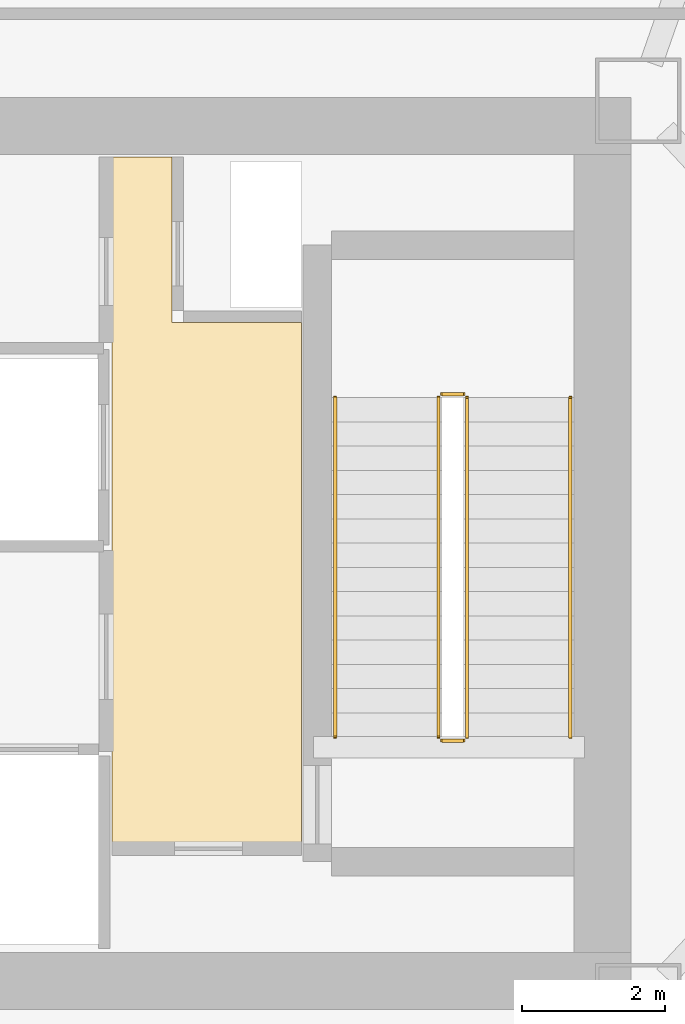
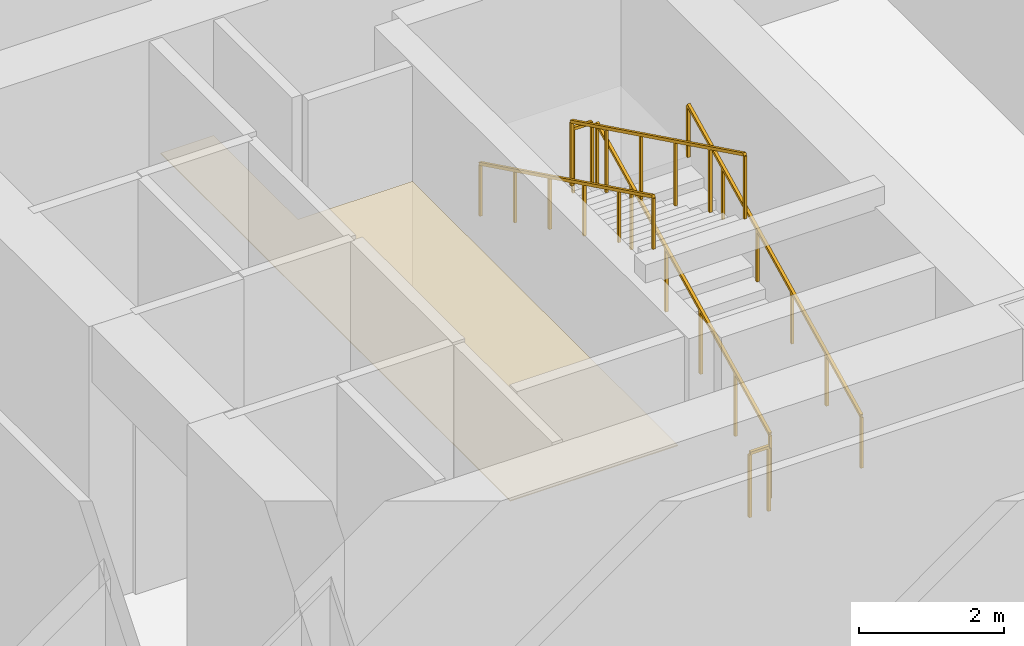
# One storey, part 20 of 20: 6 railings, 1 covering.
"""IFC4 building model written with IfcOpenShell, lengths in metres."""

from ifc_helpers import new_model, si_unit, direction, frame, origin, origin_2d, place, context, subcontext, project, spatial, polyline, rectangle, outline, extrude, material, layer, layer_set, type_object, element, save


model = new_model("IFC4")

# Units and contexts
model_context = context("Model", 3, precision=1e-05, world=origin(), true_north=direction((0.0, 1.0)))
body_context = subcontext(model_context, "Body", "Model", "MODEL_VIEW")
ifc_project = project(units=[si_unit("LENGTHUNIT", "METRE"), si_unit("AREAUNIT", "SQUARE_METRE"), si_unit("VOLUMEUNIT", "CUBIC_METRE"), si_unit("PLANEANGLEUNIT", "RADIAN"), si_unit("MASSUNIT", "GRAM", prefix="KILO")], contexts=[model_context])

# Site, building, storey
site_placement = place(None, origin())
site = spatial("IfcSite", under=ifc_project, at=site_placement, CompositionType="ELEMENT")
building_placement = place(site_placement, origin())
building = spatial("IfcBuilding", under=site, at=building_placement, Name="Tavrogorsk Clinical Tower", CompositionType="ELEMENT")
storey_placement = place(building_placement, frame((0.0, 0.0, 13.39990234375)))
storey = spatial("IfcBuildingStorey", under=building, at=storey_placement, Name="L02", CompositionType="ELEMENT", Elevation=13.39990234375)

# Covering
ifc_material_1 = material(Name="Antibacterial micro-perforated aluminium ceiling", Category="aluminium")
ifc_layer_1 = layer(ifc_material_1, 0.014892578125)
ifc_layer_set_1 = layer_set([ifc_layer_1], Name="Antibacterial micro-perforated aluminium ceiling")
covering_type = type_object("IfcCoveringType", Name="ClinicalCeiling_15", PredefinedType="CEILING", material=ifc_layer_set_1)
covering_placement = place(storey_placement, frame((0.0, 0.0, 2.75)))
element("IfcCovering", 1, at=covering_placement, inside=storey, type_object=covering_type, Name="Core East Firefighting Lift Lobby Acoustic Ceiling", PredefinedType="CEILING", context=body_context, shape_type="SweptSolid", body=[
    extrude(outline(polyline([(17.3798828125, -4.06005859375), (14.719970703125, -4.06005859375), (14.719970703125, 5.56005859375), (15.56005859375, 5.56005859375), (15.56005859375, 3.239990234375), (17.3798828125, 3.239990234375), (17.3798828125, -4.06005859375)])), origin(), (0.0, 0.0, 1.0), 0.01513671875),
])

# Railings
ifc_material_2 = material(Name="Galvanised steel S355 safety stairwell guard", Category="steel")
ifc_layer_2 = layer(ifc_material_2, 0.06005859375)
ifc_layer_set_2 = layer_set([ifc_layer_2], Name="Galvanised steel S355 safety stairwell guard")
railing_type_1 = type_object("IfcRailingType", Name="StairGuard_1150", PredefinedType="GUARDRAIL", material=ifc_layer_set_2)
railing_1_placement = place(storey_placement, frame((19.699951171875, -2.574951171875, 0.166748046875)))
element("IfcRailing", 2, at=railing_1_placement, inside=storey, type_object=railing_type_1, Name="L02 ST-E stair guard 1", PredefinedType="GUARDRAIL", context=body_context, shape_type="SweptSolid", body=[
    extrude(rectangle(XDim=0.048095703125, YDim=0.048095703125, at=origin_2d()), frame((0.0, 0.0, 1.076171875), z_axis=(0.0, 0.897927146867, 0.440144111535), x_axis=(-1.0, 0.0, 0.0)), (0.0, 0.0, 1.0), 5.301025390625),
    extrude(rectangle(XDim=0.0419921875, YDim=0.0419921875, at=origin_2d()), origin(), (0.0, 0.0, 1.0), 1.052001953125),
    extrude(rectangle(XDim=0.0419921875, YDim=0.0419921875, at=origin_2d()), frame((0.0, 0.951904296875, 0.466552734375)), (0.0, 0.0, 1.0), 1.052001953125),
    extrude(rectangle(XDim=0.0419921875, YDim=0.0419921875, at=origin_2d()), frame((0.0, 1.904052734375, 0.933349609375)), (0.0, 0.0, 1.0), 1.052001953125),
    extrude(rectangle(XDim=0.0419921875, YDim=0.0419921875, at=origin_2d()), frame((0.0, 2.85595703125, 1.39990234375)), (0.0, 0.0, 1.0), 1.052001953125),
    extrude(rectangle(XDim=0.0419921875, YDim=0.0419921875, at=origin_2d()), frame((0.0, 3.80810546875, 1.86669921875)), (0.0, 0.0, 1.0), 1.052001953125),
    extrude(rectangle(XDim=0.0419921875, YDim=0.0419921875, at=origin_2d()), frame((0.0, 4.760009765625, 2.333251953125)), (0.0, 0.0, 1.0), 1.052001953125),
])
railing_2_placement = place(storey_placement, frame((19.64990234375, 2.235107421875, 2.5)))
element("IfcRailing", 3, at=railing_2_placement, inside=storey, type_object=railing_type_1, Name="L02 ST-E stair guard 2", PredefinedType="GUARDRAIL", context=body_context, shape_type="SweptSolid", body=[
    extrude(rectangle(XDim=0.048095703125, YDim=0.048095703125, at=origin_2d()), frame((0.0, 0.0, 1.076171875), z_axis=(-1.0, 0.0, 0.0), x_axis=(0.0, -1.0, 0.0)), (0.0, 0.0, 1.0), 0.2998046875),
    extrude(rectangle(XDim=0.0419921875, YDim=0.0419921875, at=origin_2d()), origin(), (0.0, 0.0, 1.0), 1.052001953125),
    extrude(rectangle(XDim=0.0419921875, YDim=0.0419921875, at=origin_2d()), frame((-0.2998046875, 0.0, 0.0)), (0.0, 0.0, 1.0), 1.052001953125),
])
railing_3_placement = place(storey_placement, frame((19.300048828125, 2.18505859375, 2.666748046875)))
element("IfcRailing", 4, at=railing_3_placement, inside=storey, type_object=railing_type_1, Name="L02 ST-E stair guard 3", PredefinedType="GUARDRAIL", context=body_context, shape_type="SweptSolid", body=[
    extrude(rectangle(XDim=0.048095703125, YDim=0.048095703125, at=origin_2d()), frame((0.0, 0.0, 1.076171875), z_axis=(0.0, -0.897927146867, 0.440144111535), x_axis=(1.0, 0.0, 0.0)), (0.0, 0.0, 1.0), 5.301025390625),
    extrude(rectangle(XDim=0.0419921875, YDim=0.0419921875, at=origin_2d()), origin(), (0.0, 0.0, 1.0), 1.052001953125),
    extrude(rectangle(XDim=0.0419921875, YDim=0.0419921875, at=origin_2d()), frame((0.0, -0.951904296875, 0.466552734375)), (0.0, 0.0, 1.0), 1.052001953125),
    extrude(rectangle(XDim=0.0419921875, YDim=0.0419921875, at=origin_2d()), frame((0.0, -1.904052734375, 0.933349609375)), (0.0, 0.0, 1.0), 1.052001953125),
    extrude(rectangle(XDim=0.0419921875, YDim=0.0419921875, at=origin_2d()), frame((0.0, -2.85595703125, 1.39990234375)), (0.0, 0.0, 1.0), 1.052001953125),
    extrude(rectangle(XDim=0.0419921875, YDim=0.0419921875, at=origin_2d()), frame((0.0, -3.80810546875, 1.86669921875)), (0.0, 0.0, 1.0), 1.052001953125),
    extrude(rectangle(XDim=0.0419921875, YDim=0.0419921875, at=origin_2d()), frame((0.0, -4.760009765625, 2.333251953125)), (0.0, 0.0, 1.0), 1.052001953125),
])
railing_4_placement = place(storey_placement, frame((19.64990234375, -2.625, 0.0)))
element("IfcRailing", 5, at=railing_4_placement, inside=storey, type_object=railing_type_1, Name="L02 ST-E stair guard 4", PredefinedType="GUARDRAIL", context=body_context, shape_type="SweptSolid", body=[
    extrude(rectangle(XDim=0.048095703125, YDim=0.048095703125, at=origin_2d()), frame((0.0, 0.0, 1.076171875), z_axis=(-1.0, 0.0, 0.0), x_axis=(0.0, -1.0, 0.0)), (0.0, 0.0, 1.0), 0.2998046875),
    extrude(rectangle(XDim=0.0419921875, YDim=0.0419921875, at=origin_2d()), origin(), (0.0, 0.0, 1.0), 1.052001953125),
    extrude(rectangle(XDim=0.0419921875, YDim=0.0419921875, at=origin_2d()), frame((-0.2998046875, 0.0, 0.0)), (0.0, 0.0, 1.0), 1.052001953125),
])
ifc_material_3 = material(Name="Stainless steel AISI 304 tubular handrail", Category="steel")
ifc_layer_3 = layer(ifc_material_3, 0.050048828125)
ifc_layer_set_3 = layer_set([ifc_layer_3], Name="Stainless steel AISI 304 tubular handrail")
railing_type_2 = type_object("IfcRailingType", Name="StairHandrail_920", PredefinedType="HANDRAIL", material=ifc_layer_set_3)
railing_5_placement = place(storey_placement, frame((21.14990234375, -2.574951171875, 0.166748046875)))
element("IfcRailing", 6, at=railing_5_placement, inside=storey, type_object=railing_type_2, Name="L02 ST-E stair handrail 1", PredefinedType="HANDRAIL", context=body_context, shape_type="SweptSolid", body=[
    extrude(rectangle(XDim=0.048095703125, YDim=0.048095703125, at=origin_2d()), frame((0.0, 0.0, 0.8759765625), z_axis=(0.0, 0.897927146867, 0.440144111535), x_axis=(-1.0, 0.0, 0.0)), (0.0, 0.0, 1.0), 5.301025390625),
    extrude(rectangle(XDim=0.0419921875, YDim=0.0419921875, at=origin_2d()), origin(), (0.0, 0.0, 1.0), 0.851806640625),
    extrude(rectangle(XDim=0.0419921875, YDim=0.0419921875, at=origin_2d()), frame((0.0, 0.951904296875, 0.466552734375)), (0.0, 0.0, 1.0), 0.851806640625),
    extrude(rectangle(XDim=0.0419921875, YDim=0.0419921875, at=origin_2d()), frame((0.0, 1.904052734375, 0.933349609375)), (0.0, 0.0, 1.0), 0.851806640625),
    extrude(rectangle(XDim=0.0419921875, YDim=0.0419921875, at=origin_2d()), frame((0.0, 2.85595703125, 1.39990234375)), (0.0, 0.0, 1.0), 0.851806640625),
    extrude(rectangle(XDim=0.0419921875, YDim=0.0419921875, at=origin_2d()), frame((0.0, 3.80810546875, 1.86669921875)), (0.0, 0.0, 1.0), 0.851806640625),
    extrude(rectangle(XDim=0.0419921875, YDim=0.0419921875, at=origin_2d()), frame((0.0, 4.760009765625, 2.333251953125)), (0.0, 0.0, 1.0), 0.851806640625),
])
railing_6_placement = place(storey_placement, frame((17.85009765625, 2.18505859375, 2.666748046875)))
element("IfcRailing", 7, at=railing_6_placement, inside=storey, type_object=railing_type_2, Name="L02 ST-E stair handrail 2", PredefinedType="HANDRAIL", context=body_context, shape_type="SweptSolid", body=[
    extrude(rectangle(XDim=0.048095703125, YDim=0.048095703125, at=origin_2d()), frame((0.0, 0.0, 0.8759765625), z_axis=(0.0, -0.897927146867, 0.440144111535), x_axis=(1.0, 0.0, 0.0)), (0.0, 0.0, 1.0), 5.301025390625),
    extrude(rectangle(XDim=0.0419921875, YDim=0.0419921875, at=origin_2d()), origin(), (0.0, 0.0, 1.0), 0.851806640625),
    extrude(rectangle(XDim=0.0419921875, YDim=0.0419921875, at=origin_2d()), frame((0.0, -0.951904296875, 0.466552734375)), (0.0, 0.0, 1.0), 0.851806640625),
    extrude(rectangle(XDim=0.0419921875, YDim=0.0419921875, at=origin_2d()), frame((0.0, -1.904052734375, 0.933349609375)), (0.0, 0.0, 1.0), 0.851806640625),
    extrude(rectangle(XDim=0.0419921875, YDim=0.0419921875, at=origin_2d()), frame((0.0, -2.85595703125, 1.39990234375)), (0.0, 0.0, 1.0), 0.851806640625),
    extrude(rectangle(XDim=0.0419921875, YDim=0.0419921875, at=origin_2d()), frame((0.0, -3.80810546875, 1.86669921875)), (0.0, 0.0, 1.0), 0.851806640625),
    extrude(rectangle(XDim=0.0419921875, YDim=0.0419921875, at=origin_2d()), frame((0.0, -4.760009765625, 2.333251953125)), (0.0, 0.0, 1.0), 0.851806640625),
])

save(model, "model.ifc")
